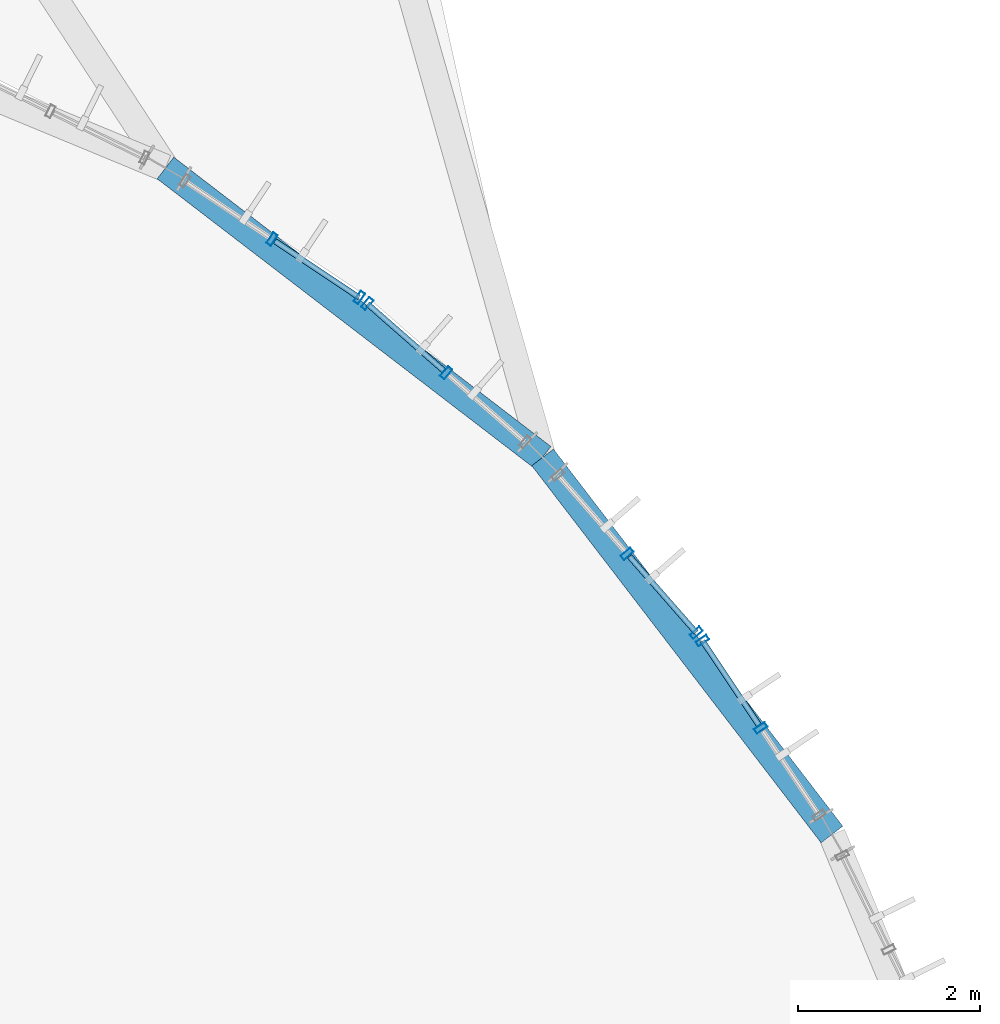
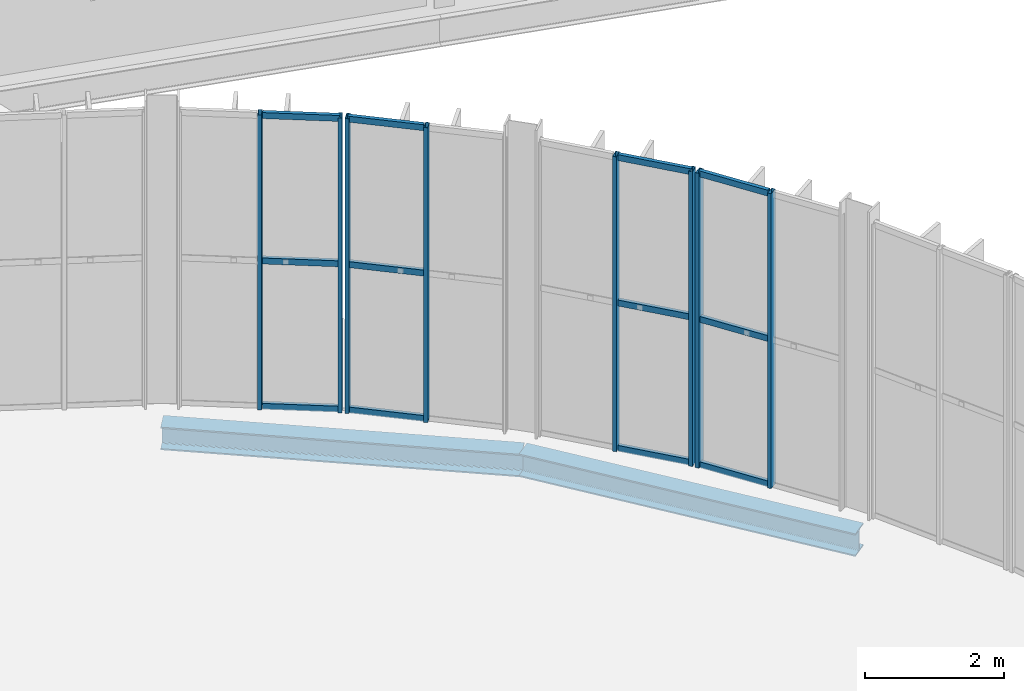
# One storey, part 73 of 158: 20 members, 2 beams, 4 elements without a shape of their own.
"""IFC4 building model written with IfcOpenShell, lengths in metres."""

from ifc_helpers import new_model, si_unit, derived_unit, direction, frame, origin, origin_2d, place, context, subcontext, project, spatial, hollow_rectangle, i_section, extrude, material, material_profile, profile_set, type_object, element, aggregate, save


model = new_model("IFC4")

# Units and contexts
model_context = context("Model", 3, precision=1e-05, world=origin(), true_north=direction((0.0, 1.0)))
body_context = subcontext(model_context, "Body", "Model", "MODEL_VIEW")
ifc_project = project(units=[si_unit("LENGTHUNIT", "METRE"), si_unit("AREAUNIT", "SQUARE_METRE"), si_unit("VOLUMEUNIT", "CUBIC_METRE"), si_unit("PLANEANGLEUNIT", "RADIAN"), si_unit("MASSUNIT", "GRAM", prefix="KILO"), si_unit("THERMODYNAMICTEMPERATUREUNIT", "KELVIN"), si_unit("TIMEUNIT", "SECOND"), derived_unit("THERMALTRANSMITTANCEUNIT", [(si_unit("MASSUNIT", "GRAM", prefix="KILO"), 1), (si_unit("THERMODYNAMICTEMPERATUREUNIT", "KELVIN"), -1), (si_unit("TIMEUNIT", "SECOND"), -3)])], contexts=[model_context])

# Site, building, storey
site_placement = place(None, origin())
site = spatial("IfcSite", under=ifc_project, at=site_placement, CompositionType="ELEMENT")
building_placement = place(site_placement, origin())
building = spatial("IfcBuilding", under=site, at=building_placement, Name="Cambertide Market Hall", CompositionType="ELEMENT")
storey_placement = place(building_placement, origin())
storey = spatial("IfcBuildingStorey", under=building, at=storey_placement, Name="L01", CompositionType="ELEMENT", Elevation=0.0)

# Curtain wall, members
ifc_material_1 = material(Name="Marine Anodized Aluminium 6063-T6 AA25", Category="aluminium")
curtain_wall_type = type_object("IfcCurtainWallType", Name="Lantern Apse Chord Lower Curtain Wall", PredefinedType="USERDEFINED", material=ifc_material_1)
curtain_wall_1_placement = place(storey_placement, origin())
curtain_wall_1 = element("IfcCurtainWall", 1, at=curtain_wall_1_placement, inside=storey, type_object=curtain_wall_type, Name="Level 1 Curtain Wall CW-V1AE-L01-17", ObjectType="UNITIZED CURTAIN WALL", PredefinedType="USERDEFINED")
ifc_material_2 = material(Name="Champagne Marine Anodized Aluminium 6063-T6 AA25", Category="aluminium")
ifc_material_profile_1 = material_profile(ifc_material_2, hollow_rectangle(XDim=0.06005859375, YDim=0.139892578125, WallThickness=0.00341796875, at=origin_2d()), Name="ALU MULLION 60x140")
ifc_profile_set_1 = profile_set([ifc_material_profile_1], Name="Champagne Marine Anodized Aluminium 6063-T6 AA25")
member_type_1 = type_object("IfcMemberType", Name="Curtain Wall Mullion ALU MULLION 60x140", PredefinedType="MULLION", material=ifc_profile_set_1)
member_1_placement = place(storey_placement, frame((120.897705078125, 84.12939453125, 0.0), z_axis=(0.0, 0.0, 1.0), x_axis=(0.555570087582, -0.831469709481, 0.0)))
member_1 = element("IfcMember", 2, at=member_1_placement, type_object=member_type_1, Name="CW-V1AE-L01-17 Mullion 1", PredefinedType="MULLION", context=body_context, shape_type="SweptSolid", body=[
    extrude(hollow_rectangle(XDim=0.06005859375, YDim=0.139892578125, WallThickness=0.00341796875, at=origin_2d()), origin(), (0.0, 0.0, 1.0), 5.159912109375),
])
member_2_placement = place(storey_placement, frame((121.538330078125, 83.170654296875, 0.0), z_axis=(0.0, 0.0, 1.0), x_axis=(0.555570087582, -0.831469709481, 0.0)))
member_2 = element("IfcMember", 3, at=member_2_placement, type_object=member_type_1, Name="CW-V1AE-L01-17 Mullion 2", PredefinedType="MULLION", context=body_context, shape_type="SweptSolid", body=[
    extrude(hollow_rectangle(XDim=0.06005859375, YDim=0.139892578125, WallThickness=0.00341796875, at=origin_2d()), origin(), (0.0, 0.0, 1.0), 5.159912109375),
])

curtain_wall_2_placement = place(storey_placement, origin())
curtain_wall_2 = element("IfcCurtainWall", 4, at=curtain_wall_2_placement, inside=storey, type_object=curtain_wall_type, Name="Level 1 Curtain Wall CW-V1AE-L01-18", ObjectType="UNITIZED CURTAIN WALL", PredefinedType="USERDEFINED")
member_3_placement = place(storey_placement, frame((120.070556640625, 85.08349609375, 0.0), z_axis=(0.0, 0.0, 1.0), x_axis=(0.659345784014, -0.751839834741, 0.0)))
member_3 = element("IfcMember", 5, at=member_3_placement, type_object=member_type_1, Name="CW-V1AE-L01-18 Mullion 2", PredefinedType="MULLION", context=body_context, shape_type="SweptSolid", body=[
    extrude(hollow_rectangle(XDim=0.06005859375, YDim=0.139892578125, WallThickness=0.00341796875, at=origin_2d()), origin(), (0.0, 0.0, 1.0), 5.159912109375),
])
member_4_placement = place(storey_placement, frame((120.830810546875, 84.216552734375, 0.0), z_axis=(0.0, 0.0, 1.0), x_axis=(0.659345784014, -0.751839834741, 0.0)))
member_4 = element("IfcMember", 6, at=member_4_placement, type_object=member_type_1, Name="CW-V1AE-L01-18 Mullion 3", PredefinedType="MULLION", context=body_context, shape_type="SweptSolid", body=[
    extrude(hollow_rectangle(XDim=0.06005859375, YDim=0.139892578125, WallThickness=0.00341796875, at=origin_2d()), origin(), (0.0, 0.0, 1.0), 5.159912109375),
])

curtain_wall_3_placement = place(storey_placement, origin())
curtain_wall_3 = element("IfcCurtainWall", 7, at=curtain_wall_3_placement, inside=storey, type_object=curtain_wall_type, Name="Level 1 Curtain Wall CW-V1AE-L01-19", ObjectType="UNITIZED CURTAIN WALL", PredefinedType="USERDEFINED")
member_5_placement = place(storey_placement, frame((117.216552734375, 87.830810546875, 0.0), z_axis=(0.0, 0.0, 1.0), x_axis=(0.751839834741, -0.659345784014, 0.0)))
member_5 = element("IfcMember", 8, at=member_5_placement, type_object=member_type_1, Name="CW-V1AE-L01-19 Mullion 1", PredefinedType="MULLION", context=body_context, shape_type="SweptSolid", body=[
    extrude(hollow_rectangle(XDim=0.06005859375, YDim=0.139892578125, WallThickness=0.00341796875, at=origin_2d()), origin(), (0.0, 0.0, 1.0), 5.159912109375),
])
member_6_placement = place(storey_placement, frame((118.08349609375, 87.070556640625, 0.0), z_axis=(0.0, 0.0, 1.0), x_axis=(0.751839834741, -0.659345784014, 0.0)))
member_6 = element("IfcMember", 9, at=member_6_placement, type_object=member_type_1, Name="CW-V1AE-L01-19 Mullion 2", PredefinedType="MULLION", context=body_context, shape_type="SweptSolid", body=[
    extrude(hollow_rectangle(XDim=0.06005859375, YDim=0.139892578125, WallThickness=0.00341796875, at=origin_2d()), origin(), (0.0, 0.0, 1.0), 5.159912109375),
])

curtain_wall_4_placement = place(storey_placement, origin())
curtain_wall_4 = element("IfcCurtainWall", 10, at=curtain_wall_4_placement, inside=storey, type_object=curtain_wall_type, Name="Level 1 Curtain Wall CW-V1AE-L01-20", ObjectType="UNITIZED CURTAIN WALL", PredefinedType="USERDEFINED")
member_7_placement = place(storey_placement, frame((116.170654296875, 88.538330078125, 0.0), z_axis=(0.0, 0.0, 1.0), x_axis=(0.831469709481, -0.555570087582, 0.0)))
member_7 = element("IfcMember", 11, at=member_7_placement, type_object=member_type_1, Name="CW-V1AE-L01-20 Mullion 2", PredefinedType="MULLION", context=body_context, shape_type="SweptSolid", body=[
    extrude(hollow_rectangle(XDim=0.06005859375, YDim=0.139892578125, WallThickness=0.00341796875, at=origin_2d()), origin(), (0.0, 0.0, 1.0), 5.159912109375),
])
member_8_placement = place(storey_placement, frame((117.12939453125, 87.897705078125, 0.0), z_axis=(0.0, 0.0, 1.0), x_axis=(0.831469709481, -0.555570087582, 0.0)))
member_8 = element("IfcMember", 12, at=member_8_placement, type_object=member_type_1, Name="CW-V1AE-L01-20 Mullion 3", PredefinedType="MULLION", context=body_context, shape_type="SweptSolid", body=[
    extrude(hollow_rectangle(XDim=0.06005859375, YDim=0.139892578125, WallThickness=0.00341796875, at=origin_2d()), origin(), (0.0, 0.0, 1.0), 5.159912109375),
])

# Member
ifc_material_3 = material(Name="Champagne Marine Anodized Aluminium 6063-T6 AA25", Category="aluminium")
ifc_material_profile_2 = material_profile(ifc_material_3, hollow_rectangle(XDim=0.06005859375, YDim=0.10498046875, WallThickness=0.0029296875, at=origin_2d()), Name="ALU TRANSOM 60x105")
ifc_profile_set_2 = profile_set([ifc_material_profile_2], Name="Champagne Marine Anodized Aluminium 6063-T6 AA25")
member_type_2 = type_object("IfcMemberType", Name="Curtain Wall Transom ALU TRANSOM 60x105", PredefinedType="USERDEFINED", material=ifc_profile_set_2)
member_9_placement = place(storey_placement, frame((120.900390625, 84.125244140625, 0.034912109375), z_axis=(0.55571677103, -0.831371680054, 0.0), x_axis=(0.831371680054, 0.55571677103, 0.0)))
member_9 = element("IfcMember", 13, at=member_9_placement, type_object=member_type_2, Name="CW-V1AE-L01-17 Transom 1-1", ObjectType="TRANSOM", PredefinedType="USERDEFINED", context=body_context, shape_type="SweptSolid", body=[
    extrude(hollow_rectangle(XDim=0.06005859375, YDim=0.10498046875, WallThickness=0.0029296875, at=origin_2d()), origin(), (0.0, 0.0, 1.0), 1.10791015625),
])

member_10_placement = place(storey_placement, frame((120.900390625, 84.125244140625, 2.580078125), z_axis=(0.55571677103, -0.831371680054, 0.0), x_axis=(0.831371680054, 0.55571677103, 0.0)))
member_10 = element("IfcMember", 14, at=member_10_placement, type_object=member_type_2, Name="CW-V1AE-L01-17 Transom 2-1", ObjectType="TRANSOM", PredefinedType="USERDEFINED", context=body_context, shape_type="SweptSolid", body=[
    extrude(hollow_rectangle(XDim=0.06005859375, YDim=0.10498046875, WallThickness=0.0029296875, at=origin_2d()), origin(), (0.0, 0.0, 1.0), 1.10791015625),
])

member_11_placement = place(storey_placement, frame((120.900390625, 84.125244140625, 5.125), z_axis=(0.55571677103, -0.831371680054, 0.0), x_axis=(0.831371680054, 0.55571677103, 0.0)))
member_11 = element("IfcMember", 15, at=member_11_placement, type_object=member_type_2, Name="CW-V1AE-L01-17 Transom 3-1", ObjectType="TRANSOM", PredefinedType="USERDEFINED", context=body_context, shape_type="SweptSolid", body=[
    extrude(hollow_rectangle(XDim=0.06005859375, YDim=0.10498046875, WallThickness=0.0029296875, at=origin_2d()), origin(), (0.0, 0.0, 1.0), 1.10791015625),
])

aggregate(curtain_wall_1, [member_1, member_2, member_9, member_10, member_11])

member_12_placement = place(storey_placement, frame((120.096923828125, 85.053466796875, 0.034912109375), z_axis=(0.659315460062, -0.751866427049, 0.0), x_axis=(0.751866427049, 0.659315460062, 0.0)))
member_12 = element("IfcMember", 16, at=member_12_placement, type_object=member_type_2, Name="CW-V1AE-L01-18 Transom 1-2", ObjectType="TRANSOM", PredefinedType="USERDEFINED", context=body_context, shape_type="SweptSolid", body=[
    extrude(hollow_rectangle(XDim=0.06005859375, YDim=0.10498046875, WallThickness=0.0029296875, at=origin_2d()), origin(), (0.0, 0.0, 1.0), 1.10791015625),
])

member_13_placement = place(storey_placement, frame((120.096923828125, 85.053466796875, 2.580078125), z_axis=(0.659315460062, -0.751866427049, 0.0), x_axis=(0.751866427049, 0.659315460062, 0.0)))
member_13 = element("IfcMember", 17, at=member_13_placement, type_object=member_type_2, Name="CW-V1AE-L01-18 Transom 2-2", ObjectType="TRANSOM", PredefinedType="USERDEFINED", context=body_context, shape_type="SweptSolid", body=[
    extrude(hollow_rectangle(XDim=0.06005859375, YDim=0.10498046875, WallThickness=0.0029296875, at=origin_2d()), origin(), (0.0, 0.0, 1.0), 1.10791015625),
])

member_14_placement = place(storey_placement, frame((120.096923828125, 85.053466796875, 5.125), z_axis=(0.659315460062, -0.751866427049, 0.0), x_axis=(0.751866427049, 0.659315460062, 0.0)))
member_14 = element("IfcMember", 18, at=member_14_placement, type_object=member_type_2, Name="CW-V1AE-L01-18 Transom 3-2", ObjectType="TRANSOM", PredefinedType="USERDEFINED", context=body_context, shape_type="SweptSolid", body=[
    extrude(hollow_rectangle(XDim=0.06005859375, YDim=0.10498046875, WallThickness=0.0029296875, at=origin_2d()), origin(), (0.0, 0.0, 1.0), 1.10791015625),
])

aggregate(curtain_wall_2, [member_3, member_4, member_12, member_13, member_14])

member_15_placement = place(storey_placement, frame((117.220458984375, 87.827392578125, 0.034912109375), z_axis=(0.751866427049, -0.659315460062, 0.0), x_axis=(0.659315460062, 0.751866427049, 0.0)))
member_15 = element("IfcMember", 19, at=member_15_placement, type_object=member_type_2, Name="CW-V1AE-L01-19 Transom 1-1", ObjectType="TRANSOM", PredefinedType="USERDEFINED", context=body_context, shape_type="SweptSolid", body=[
    extrude(hollow_rectangle(XDim=0.06005859375, YDim=0.10498046875, WallThickness=0.0029296875, at=origin_2d()), origin(), (0.0, 0.0, 1.0), 1.10791015625),
])

member_16_placement = place(storey_placement, frame((117.220458984375, 87.827392578125, 2.580078125), z_axis=(0.751866427049, -0.659315460062, 0.0), x_axis=(0.659315460062, 0.751866427049, 0.0)))
member_16 = element("IfcMember", 20, at=member_16_placement, type_object=member_type_2, Name="CW-V1AE-L01-19 Transom 2-1", ObjectType="TRANSOM", PredefinedType="USERDEFINED", context=body_context, shape_type="SweptSolid", body=[
    extrude(hollow_rectangle(XDim=0.06005859375, YDim=0.10498046875, WallThickness=0.0029296875, at=origin_2d()), origin(), (0.0, 0.0, 1.0), 1.10791015625),
])

member_17_placement = place(storey_placement, frame((117.220458984375, 87.827392578125, 5.125), z_axis=(0.751866427049, -0.659315460062, 0.0), x_axis=(0.659315460062, 0.751866427049, 0.0)))
member_17 = element("IfcMember", 21, at=member_17_placement, type_object=member_type_2, Name="CW-V1AE-L01-19 Transom 3-1", ObjectType="TRANSOM", PredefinedType="USERDEFINED", context=body_context, shape_type="SweptSolid", body=[
    extrude(hollow_rectangle(XDim=0.06005859375, YDim=0.10498046875, WallThickness=0.0029296875, at=origin_2d()), origin(), (0.0, 0.0, 1.0), 1.10791015625),
])

aggregate(curtain_wall_3, [member_5, member_6, member_15, member_16, member_17])

member_18_placement = place(storey_placement, frame((116.2041015625, 88.51611328125, 0.034912109375), z_axis=(0.831371680054, -0.55571677103, 0.0), x_axis=(0.55571677103, 0.831371680054, 0.0)))
member_18 = element("IfcMember", 22, at=member_18_placement, type_object=member_type_2, Name="CW-V1AE-L01-20 Transom 1-2", ObjectType="TRANSOM", PredefinedType="USERDEFINED", context=body_context, shape_type="SweptSolid", body=[
    extrude(hollow_rectangle(XDim=0.06005859375, YDim=0.10498046875, WallThickness=0.0029296875, at=origin_2d()), origin(), (0.0, 0.0, 1.0), 1.10791015625),
])

member_19_placement = place(storey_placement, frame((116.2041015625, 88.51611328125, 2.580078125), z_axis=(0.831371680054, -0.55571677103, 0.0), x_axis=(0.55571677103, 0.831371680054, 0.0)))
member_19 = element("IfcMember", 23, at=member_19_placement, type_object=member_type_2, Name="CW-V1AE-L01-20 Transom 2-2", ObjectType="TRANSOM", PredefinedType="USERDEFINED", context=body_context, shape_type="SweptSolid", body=[
    extrude(hollow_rectangle(XDim=0.06005859375, YDim=0.10498046875, WallThickness=0.0029296875, at=origin_2d()), origin(), (0.0, 0.0, 1.0), 1.10791015625),
])

member_20_placement = place(storey_placement, frame((116.2041015625, 88.51611328125, 5.125), z_axis=(0.831371680054, -0.55571677103, 0.0), x_axis=(0.55571677103, 0.831371680054, 0.0)))
member_20 = element("IfcMember", 24, at=member_20_placement, type_object=member_type_2, Name="CW-V1AE-L01-20 Transom 3-2", ObjectType="TRANSOM", PredefinedType="USERDEFINED", context=body_context, shape_type="SweptSolid", body=[
    extrude(hollow_rectangle(XDim=0.06005859375, YDim=0.10498046875, WallThickness=0.0029296875, at=origin_2d()), origin(), (0.0, 0.0, 1.0), 1.10791015625),
])

aggregate(curtain_wall_4, [member_7, member_8, member_18, member_19, member_20])

# Beams
ifc_material_4 = material(Name="Steel S355", Category="steel")
ifc_material_profile_3 = material_profile(ifc_material_4, i_section(OverallWidth=0.300048828125, OverallDepth=0.39990234375, WebThickness=0.013427734375, FlangeThickness=0.02392578125, FilletRadius=0.027099609375, at=origin_2d()), Name="HEB 400")
ifc_profile_set_3 = profile_set([ifc_material_profile_3], Name="Steel S355")
beam_type = type_object("IfcBeamType", Name="Steel Girder HEB 400", PredefinedType="BEAM", material=ifc_profile_set_3)
for number, where, z_axis, x_axis, name in (
    (25, (122.320556640625, 82.0, -0.510009765625), (-0.608777037117, 0.793341363525, 0.0), (-0.793341363525, -0.608777037117, 0.0), "Level 1 Beam BM-V1AE-L01-9"),
    (26, (119.14208984375, 86.14208984375, -0.510009765625), (-0.793341363525, 0.608777037117, 0.0), (-0.608777037117, -0.793341363525, 0.0), "Level 1 Beam BM-V1AE-L01-10"),
):
    element("IfcBeam", number, at=place(storey_placement, frame(where, z_axis=z_axis, x_axis=x_axis)), inside=storey, type_object=beam_type, Name=name, PredefinedType="BEAM", context=body_context, shape_type="SweptSolid", body=[
        extrude(i_section(OverallWidth=0.300048828125, OverallDepth=0.39990234375, WebThickness=0.013427734375, FlangeThickness=0.02392578125, FilletRadius=0.027099609375, at=origin_2d()), origin(), (0.0, 0.0, 1.0), 5.220947265625),
    ])

save(model, "model.ifc")
